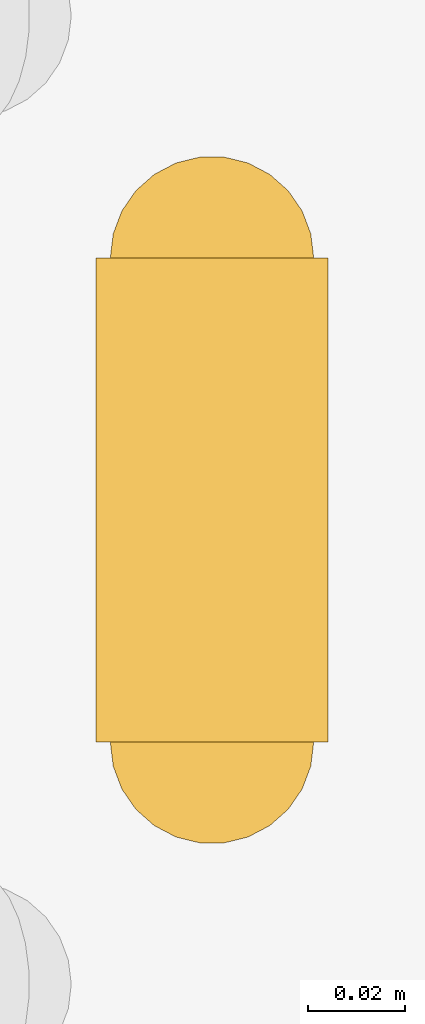
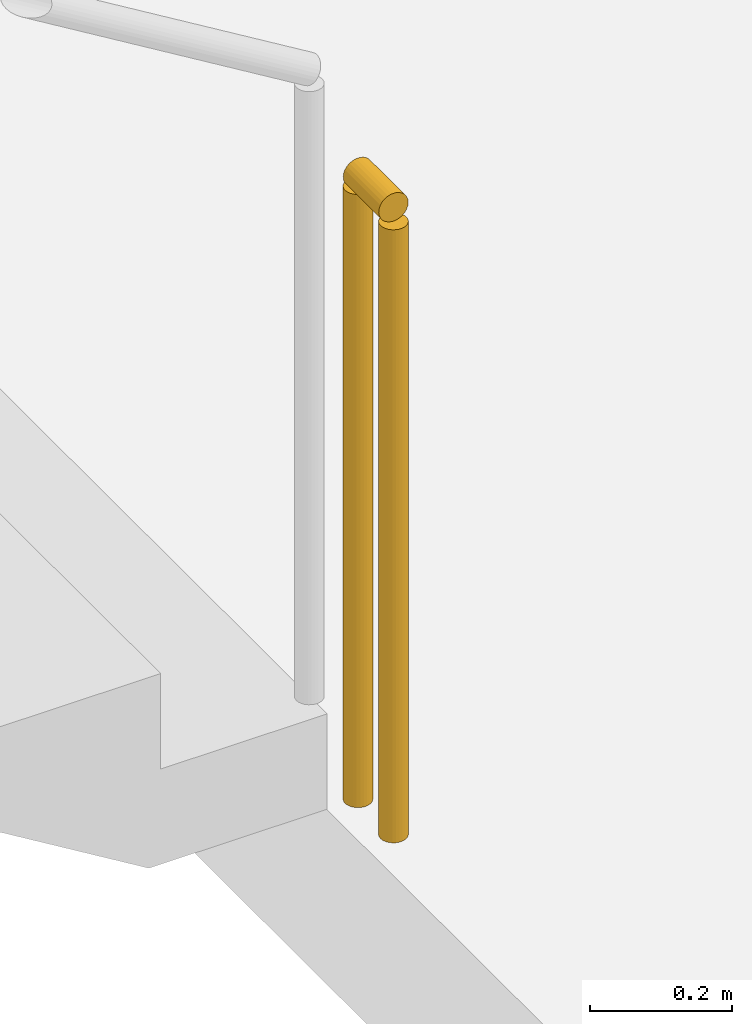
# One storey, part 15 of 16: 1 railing.
"""IFC4 building model written with IfcOpenShell, lengths in metres."""

import ifcopenshell
import ifcopenshell.guid

model = None  # the IFC model being written
_history = None  # IfcOwnerHistory: only IFC2X3 demands one
_inside = {}  # id of a spatial element -> (the spatial element, [elements in it])
_under = {}  # id of a project, library or spatial element -> (it, [spatial elements below it])
_declared = {}  # id of a project -> (the project, [libraries it declares])
_typed = {}  # id of a type object -> (the type object, [elements of that type])
_made_of = {}  # id of a material, layer set ... -> (it, [elements and type objects made of it])


def new_model(schema):
    """Start an empty IFC model of exactly this schema.

    Asked for "IFC4X3", IfcOpenShell would pick the latest addendum, in which some entities
    have other attributes; the version numbers below select the first issue.
    IFC2X3 requires an IfcOwnerHistory on every rooted entity: one is made here for all.
    """
    global model, _history
    if schema == "IFC4X3":
        model = ifcopenshell.file(schema_version=(4, 3, 0, 0))
    else:
        model = ifcopenshell.file(schema=schema)
    _inside.clear()
    _under.clear()
    _declared.clear()
    _typed.clear()
    _made_of.clear()
    _history = None
    if model.schema == "IFC2X3":
        org = make("IfcOrganization", Name="unknown")
        user = make(
            "IfcPersonAndOrganization",
            ThePerson=make("IfcPerson", FamilyName="unknown"),
            TheOrganization=org,
        )
        app = make(
            "IfcApplication",
            ApplicationDeveloper=org,
            Version="unknown",
            ApplicationFullName="unknown",
            ApplicationIdentifier="unknown",
        )
        _history = make(
            "IfcOwnerHistory",
            OwningUser=user,
            OwningApplication=app,
            ChangeAction="ADDED",
            CreationDate=0,
        )
    return model


def make(cls, **values):
    """One entity of the class cls with the attributes given. An attribute that is None is left unset."""
    return model.create_entity(
        cls, **{name: value for name, value in values.items() if value is not None}
    )


def rooted(cls, **values):
    """An entity with a GlobalId (a new one), such as an element, a storey or a relation."""
    return make(cls, GlobalId=ifcopenshell.guid.new(), OwnerHistory=_history, **values)


def si_unit(unit_type, name, prefix=None):
    """IfcSIUnit, for example si_unit("LENGTHUNIT", "METRE", prefix="MILLI")."""
    return make("IfcSIUnit", UnitType=unit_type, Prefix=prefix, Name=name)


def assignment(units):
    """IfcUnitAssignment: the units of a project."""
    return None if units is None else make("IfcUnitAssignment", Units=units)


def point(xyz):
    """IfcCartesianPoint."""
    return None if xyz is None else make("IfcCartesianPoint", Coordinates=xyz)


def direction(xyz):
    """IfcDirection."""
    return None if xyz is None else make("IfcDirection", DirectionRatios=xyz)


def frame(location, z_axis=None, x_axis=None):
    """IfcAxis2Placement3D, a coordinate frame: its origin and axes. An axis left out is left unset."""
    return make(
        "IfcAxis2Placement3D",
        Location=point(location),
        Axis=direction(z_axis),
        RefDirection=direction(x_axis),
    )


def frame_2d(location, x_axis=None):
    """IfcAxis2Placement2D, a coordinate frame in the plane: its origin and x axis."""
    return make(
        "IfcAxis2Placement2D", Location=point(location), RefDirection=direction(x_axis)
    )


def origin():
    """The frame at (0, 0, 0) with its axes left unset."""
    return frame((0.0, 0.0, 0.0))


def origin_2d():
    """The frame at (0, 0) in the plane with its x axis left unset."""
    return frame_2d((0.0, 0.0))


def place(relative_to, where):
    """IfcLocalPlacement: puts the frame where relative to a parent placement (None: the world)."""
    return make(
        "IfcLocalPlacement", PlacementRelTo=relative_to, RelativePlacement=where
    )


def context(
    kind, dimensions, precision=None, world=None, true_north=None, identifier=None
):
    """IfcGeometricRepresentationContext, for example the 3D "Model" context."""
    return make(
        "IfcGeometricRepresentationContext",
        ContextIdentifier=identifier,
        ContextType=kind,
        CoordinateSpaceDimension=dimensions,
        Precision=precision,
        WorldCoordinateSystem=world,
        TrueNorth=true_north,
    )


def subcontext(parent, identifier, kind, view, scale=None):
    """IfcGeometricRepresentationSubContext, for example "Body" below "Model"."""
    return make(
        "IfcGeometricRepresentationSubContext",
        ContextIdentifier=identifier,
        ContextType=kind,
        ParentContext=parent,
        TargetScale=scale,
        TargetView=view,
    )


def project(units=None, contexts=None):
    """IfcProject with its units and contexts."""
    return rooted(
        "IfcProject",
        Name="project",
        RepresentationContexts=contexts,
        UnitsInContext=assignment(units),
    )


def spatial(cls, under=None, at=None, **own):
    """A site, building, storey or space (cls), placed at a placement, below another one or the project."""
    s = rooted(cls, ObjectPlacement=at, **own)
    if under is not None:
        _under.setdefault(under.id(), (under, []))[1].append(s)
    return s


def profile(cls, at=None, kind="AREA", **sizes):
    """A parametric profile (cls). Its sizes go by their IFC names, for example OverallWidth=200.0."""
    return make(cls, ProfileType=kind, Position=at, **sizes)


def circle(**sizes):
    """IfcCircleProfileDef."""
    return profile("IfcCircleProfileDef", **sizes)


def extrude(swept, where, along, depth):
    """IfcExtrudedAreaSolid: the profile swept, set in the frame where, extruded along a direction by depth."""
    return make(
        "IfcExtrudedAreaSolid",
        SweptArea=swept,
        Position=where,
        ExtrudedDirection=direction(along),
        Depth=depth,
    )


def shape(context_of_items, identifier, shape_type, items):
    """IfcShapeRepresentation: the items that make up one representation, for example the "Body"."""
    return make(
        "IfcShapeRepresentation",
        ContextOfItems=context_of_items,
        RepresentationIdentifier=identifier,
        RepresentationType=shape_type,
        Items=items,
    )


def material(Name=None, Category=None):
    """IfcMaterial."""
    return make("IfcMaterial", Name=Name, Category=Category)


def made_of(thing, what):
    """Note that an element or type object is made of a material, layer set ...; save() writes the relation."""
    if what is not None:
        _made_of.setdefault(what.id(), (what, []))[1].append(thing)
    return thing


def type_object(cls, material=None, **own):
    """A type object (cls), such as IfcWallType, which elements share."""
    return made_of(rooted(cls, **own), material)


def element(
    cls,
    number,
    at=None,
    inside=None,
    cuts=None,
    type_object=None,
    material=None,
    context=None,
    identifier="Body",
    shape_type=None,
    held_by="IfcProductDefinitionShape",
    body=None,
    shapes=None,
    **own,
):
    """One element of the class cls, such as IfcWall. Its Tag is "e" and its number.

    at: its placement. inside: the storey or other place that contains it. cuts: it is an
    opening in that element (IfcRelVoidsElement). A single representation is given by context,
    identifier, shape_type and body (its items); several are given by shapes. held_by: the class
    of the entity that holds the representations. save() writes the other relations.
    """
    e = rooted(cls, Tag="e%d" % number, ObjectPlacement=at, **own)
    if body is not None:
        shapes = [shape(context, identifier, shape_type, body)]
    if shapes is not None:
        e.Representation = make(held_by, Representations=shapes)
    if inside is not None:
        _inside.setdefault(inside.id(), (inside, []))[1].append(e)
    if cuts is not None:
        rooted(
            "IfcRelVoidsElement", RelatingBuildingElement=cuts, RelatedOpeningElement=e
        )
    if type_object is not None:
        _typed.setdefault(type_object.id(), (type_object, []))[1].append(e)
    return made_of(e, material)


def aggregate(whole, parts):
    """IfcRelAggregates: a whole, such as a stair, and the parts it consists of."""
    return rooted("IfcRelAggregates", RelatingObject=whole, RelatedObjects=parts)


def save(model, path):
    """Write the relations noted so far, then the file.

    IfcRelAggregates (storeys below a building ...), IfcRelContainedInSpatialStructure (elements
    in a storey), IfcRelDefinesByType, IfcRelAssociatesMaterial and IfcRelDeclares: one each for
    every whole, place, type object, material and project.
    """
    for whole, parts in _under.values():
        aggregate(whole, parts)
    for where, things in _inside.values():
        rooted(
            "IfcRelContainedInSpatialStructure",
            RelatedElements=things,
            RelatingStructure=where,
        )
    for kind, things in _typed.values():
        rooted("IfcRelDefinesByType", RelatedObjects=things, RelatingType=kind)
    for what, things in _made_of.values():
        rooted("IfcRelAssociatesMaterial", RelatedObjects=things, RelatingMaterial=what)
    for by, libraries in _declared.values():
        rooted("IfcRelDeclares", RelatingContext=by, RelatedDefinitions=libraries)
    model.write(path)


model = new_model("IFC4")

# Units and contexts
model_context = context("Model", 3, precision=1e-05, world=origin(), true_north=direction((0.0, 1.0)))
body_context = subcontext(model_context, "Body", "Model", "MODEL_VIEW")
ifc_project = project(units=[si_unit("LENGTHUNIT", "METRE"), si_unit("AREAUNIT", "SQUARE_METRE"), si_unit("VOLUMEUNIT", "CUBIC_METRE"), si_unit("PLANEANGLEUNIT", "RADIAN"), si_unit("MASSUNIT", "GRAM", prefix="KILO")], contexts=[model_context])

# Site, building, storey
site_placement = place(None, origin())
site = spatial("IfcSite", under=ifc_project, at=site_placement, CompositionType="ELEMENT")
building_placement = place(site_placement, origin())
building = spatial("IfcBuilding", under=site, at=building_placement, Name="Vermilion Reach Broadcast Tower", CompositionType="ELEMENT")
storey_placement = place(building_placement, frame((0.0, 0.0, 88.60009765625)))
storey = spatial("IfcBuildingStorey", under=building, at=storey_placement, Name="L19", CompositionType="ELEMENT", Elevation=88.60009765625)

# Railing
ifc_material = material(Name="Stainless steel", Category="steel")
railing_type = type_object("IfcRailingType", Name="Stair guard 1100", PredefinedType="GUARDRAIL", material=ifc_material)
railing_placement = place(storey_placement, frame((-0.949951171875, 5.639892578125, 0.0)))
element("IfcRailing", 1, at=railing_placement, inside=storey, type_object=railing_type, Name="L19 ST2 stair guard 4", PredefinedType="GUARDRAIL", context=body_context, shape_type="SweptSolid", body=[
    extrude(circle(Radius=0.02392578125, at=origin_2d()), frame((0.0, 0.0, 1.076171875), z_axis=(0.0, -1.0, 0.0), x_axis=(1.0, 0.0, 0.0)), (0.0, 0.0, 1.0), 0.099853515625),
    extrude(circle(Radius=0.02099609375, at=origin_2d()), origin(), (0.0, 0.0, 1.0), 1.052001953125),
    extrude(circle(Radius=0.02099609375, at=origin_2d()), frame((0.0, -0.099853515625, 0.0)), (0.0, 0.0, 1.0), 1.052001953125),
])

save(model, "model.ifc")
